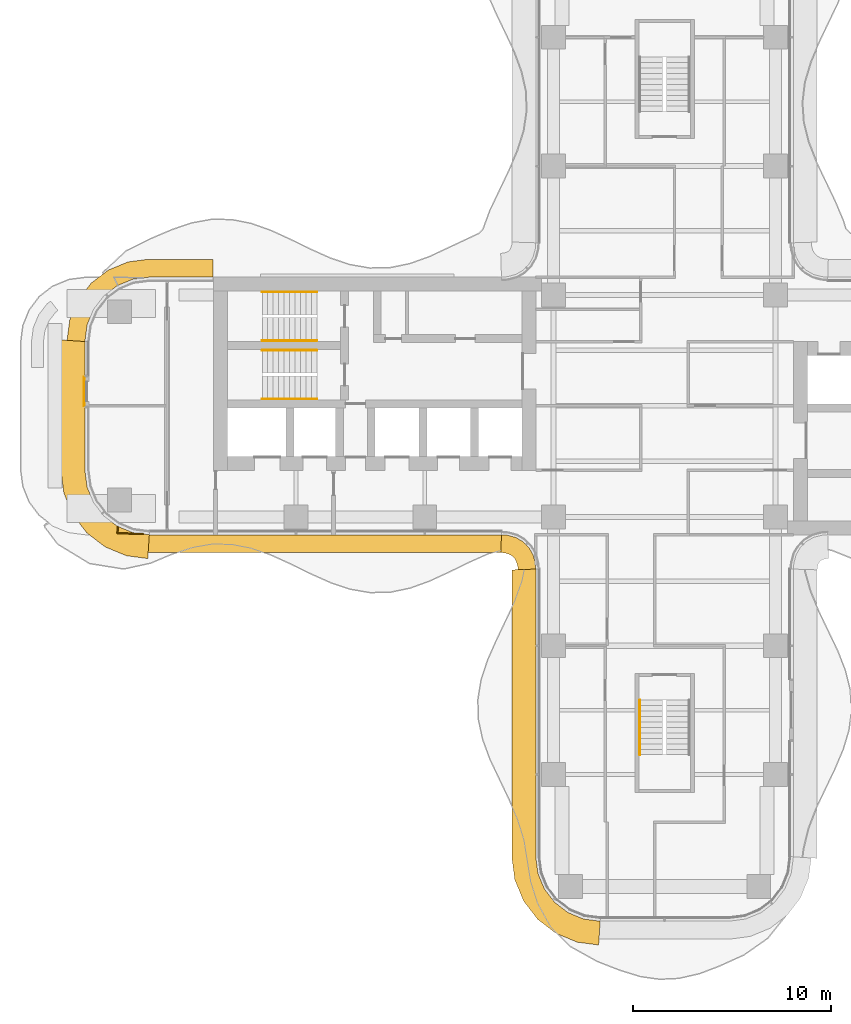
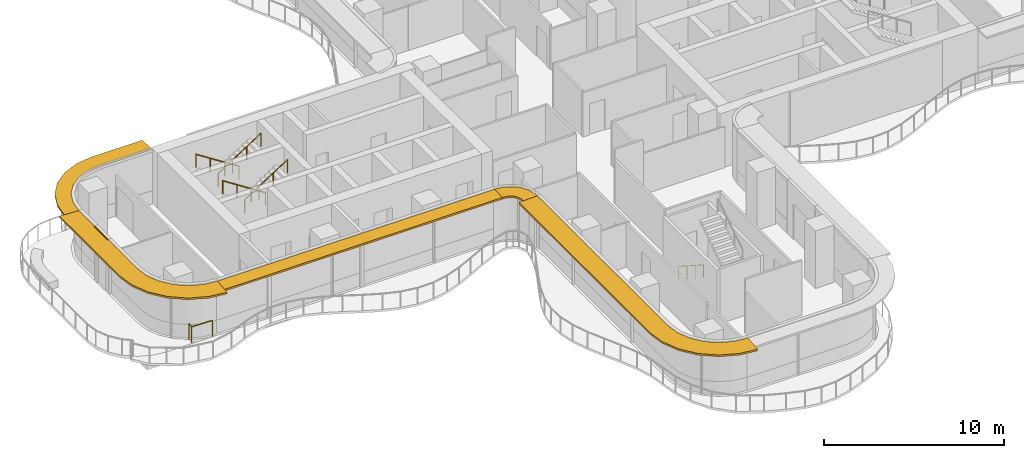
# One storey, part 16 of 17: 6 railings, 5 shading devices, 1 covering.
"""IFC4 building model written with IfcOpenShell, lengths in metres."""

from ifc_helpers import new_model, si_unit, direction, frame, origin, origin_2d, place, context, subcontext, project, spatial, polyline, rectangle, circle, outline, extrude, source, transform, mapped, material, layer, layer_set, type_object, element, save


model = new_model("IFC4")

# Units and contexts
model_context = context("Model", 3, precision=1e-05, world=origin(), true_north=direction((0.0, 1.0)))
body_context = subcontext(model_context, "Body", "Model", "MODEL_VIEW")
ifc_project = project(units=[si_unit("LENGTHUNIT", "METRE"), si_unit("AREAUNIT", "SQUARE_METRE"), si_unit("VOLUMEUNIT", "CUBIC_METRE"), si_unit("PLANEANGLEUNIT", "RADIAN"), si_unit("MASSUNIT", "GRAM", prefix="KILO")], contexts=[model_context])

# Site, building, storey
site_placement = place(None, origin())
site = spatial("IfcSite", under=ifc_project, at=site_placement, CompositionType="ELEMENT")
building_placement = place(site_placement, origin())
building = spatial("IfcBuilding", under=site, at=building_placement, Name="Trellis Farm Tower", CompositionType="ELEMENT")
storey_placement = place(building_placement, frame((0.0, 0.0, 162.0)))
storey = spatial("IfcBuildingStorey", under=building, at=storey_placement, Name="L34", CompositionType="ELEMENT", Elevation=162.0)

# Covering
ifc_material_1 = material(Name="Sandstone", Category="masonry")
ifc_layer_1 = layer(ifc_material_1, 0.050048828125)
ifc_layer_set_1 = layer_set([ifc_layer_1], Name="STONE CLADDING PANEL")
covering_type = type_object("IfcCoveringType", Name="STONE CLADDING PANEL", PredefinedType="CLADDING", material=ifc_layer_set_1)
covering_placement = place(storey_placement, frame((0.0, 0.0, 2.39990234375)))
element("IfcCovering", 1, at=covering_placement, inside=storey, type_object=covering_type, Name="CD1 02", PredefinedType="CLADDING", context=body_context, shape_type="SweptSolid", body=[
    extrude(outline(polyline([(-29.300048828125, 1.47998046875), (-29.300048828125, -0.02001953125), (-29.25, -0.02001953125), (-29.25, 1.47998046875), (-29.300048828125, 1.47998046875)])), origin(), (0.0, 0.0, 1.0), 1.300048828125),
])

# Railings
ifc_material_2 = material(Name="Stainless steel", Category="steel")
railing_type_1 = type_object("IfcRailingType", Name="STAIR HANDRAIL 900", PredefinedType="HANDRAIL", material=ifc_material_2)
shared_shape_1 = source(origin(), body_context, "Body", "SweptSolid", [
    extrude(circle(Radius=0.02392578125, at=origin_2d()), frame((0.0, 0.0, 0.8759765625), z_axis=(0.0, -0.840503830235, 0.541805602924), x_axis=(1.0, 0.0, 0.0)), (0.0, 0.0, 1.0), 3.271728515625),
    extrude(circle(Radius=0.02099609375, at=origin_2d()), origin(), (0.0, 0.0, 1.0), 0.851806640625),
    extrude(circle(Radius=0.02099609375, at=origin_2d()), frame((0.0, -0.916748046875, 0.5908203125)), (0.0, 0.0, 1.0), 0.851806640625),
    extrude(circle(Radius=0.02099609375, at=origin_2d()), frame((0.0, -1.833251953125, 1.181884765625)), (0.0, 0.0, 1.0), 0.851806640625),
    extrude(circle(Radius=0.02099609375, at=origin_2d()), frame((0.0, -2.75, 1.772705078125)), (0.0, 0.0, 1.0), 0.851806640625),
])
railing_1_placement = place(storey_placement, frame((-1.25, -14.85009765625, 0.17724609375)))
element("IfcRailing", 2, at=railing_1_placement, inside=storey, type_object=railing_type_1, Name="Stair handrail", PredefinedType="HANDRAIL", context=body_context, shape_type="MappedRepresentation", body=[
    mapped(shared_shape_1, transform((0.0, 0.0, 0.0))),
])
shared_shape_2 = source(origin(), body_context, "Body", "SweptSolid", [
    extrude(circle(Radius=0.02392578125, at=origin_2d()), frame((0.0, 0.0, 0.8759765625), z_axis=(0.840503830235, 0.0, 0.541805602924), x_axis=(0.0, 1.0, 0.0)), (0.0, 0.0, 1.0), 3.271728515625),
    extrude(circle(Radius=0.02099609375, at=origin_2d()), origin(), (0.0, 0.0, 1.0), 0.851806640625),
    extrude(circle(Radius=0.02099609375, at=origin_2d()), frame((0.916748046875, 0.0, 0.5908203125)), (0.0, 0.0, 1.0), 0.851806640625),
    extrude(circle(Radius=0.02099609375, at=origin_2d()), frame((1.833251953125, 0.0, 1.181884765625)), (0.0, 0.0, 1.0), 0.851806640625),
    extrude(circle(Radius=0.02099609375, at=origin_2d()), frame((2.75, 0.0, 1.772705078125)), (0.0, 0.0, 1.0), 0.851806640625),
])
for number, where, name in (
    (3, (-20.300048828125, 3.300048828125, 2.127197265625), "Stair handrail"),
    (4, (-20.300048828125, 0.35009765625, 2.127197265625), "Stair handrail"),
):
    element("IfcRailing", number, at=place(storey_placement, frame(where)), inside=storey, type_object=railing_type_1, Name=name, PredefinedType="HANDRAIL", context=body_context, shape_type="MappedRepresentation", body=[
        mapped(shared_shape_2, transform((0.0, 0.0, 0.0))),
    ])
shared_shape_3 = source(origin(), body_context, "Body", "SweptSolid", [
    extrude(circle(Radius=0.02392578125, at=origin_2d()), frame((0.0, 0.0, 0.8759765625), z_axis=(-0.840503830235, 0.0, 0.541805602924), x_axis=(0.0, -1.0, 0.0)), (0.0, 0.0, 1.0), 3.271728515625),
    extrude(circle(Radius=0.02099609375, at=origin_2d()), origin(), (0.0, 0.0, 1.0), 0.851806640625),
    extrude(circle(Radius=0.02099609375, at=origin_2d()), frame((-0.916748046875, 0.0, 0.5908203125)), (0.0, 0.0, 1.0), 0.851806640625),
    extrude(circle(Radius=0.02099609375, at=origin_2d()), frame((-1.833251953125, 0.0, 1.181884765625)), (0.0, 0.0, 1.0), 0.851806640625),
    extrude(circle(Radius=0.02099609375, at=origin_2d()), frame((-2.75, 0.0, 1.772705078125)), (0.0, 0.0, 1.0), 0.851806640625),
])
for number, where, name in (
    (5, (-17.550048828125, 5.75, 0.17724609375), "Stair handrail"),
    (6, (-17.550048828125, 2.800048828125, 0.17724609375), "Stair handrail"),
):
    element("IfcRailing", number, at=place(storey_placement, frame(where)), inside=storey, type_object=railing_type_1, Name=name, PredefinedType="HANDRAIL", context=body_context, shape_type="MappedRepresentation", body=[
        mapped(shared_shape_3, transform((0.0, 0.0, 0.0))),
    ])

# Shading devices
ifc_material_3 = material(Name="Aluminium extrusion 6063-T6", Category="aluminium")
ifc_layer_2 = layer(ifc_material_3, 0.1201171875)
ifc_layer_set_2 = layer_set([ifc_layer_2], Name="SUNSHADE BLADE 900")
shading_device_type_1 = type_object("IfcShadingDeviceType", Name="SUNSHADE BLADE 900", PredefinedType="USERDEFINED", material=ifc_layer_set_2)
shared_shape_4 = source(origin(), body_context, "Body", "SweptSolid", [
    extrude(outline(polyline([(-8.2607421875, -7.39990234375), (-8.107666015625, -7.409912109375), (-8.091552734375, -7.412109375), (-7.85595703125, -7.475341796875), (-7.697021484375, -7.567138671875), (-7.567138671875, -7.697021484375), (-7.475341796875, -7.85595703125), (-7.412109375, -8.091552734375), (-7.409912109375, -8.107666015625), (-7.39990234375, -8.2607421875), (-6.5, -8.2314453125), (-6.513916015625, -8.01953125), (-6.527587890625, -7.91552734375), (-6.63671875, -7.508544921875), (-6.846923828125, -7.144287109375), (-7.144287109375, -6.846923828125), (-7.508544921875, -6.63671875), (-7.91552734375, -6.527587890625), (-8.01953125, -6.513916015625), (-8.2314453125, -6.5), (-8.2607421875, -7.39990234375)])), origin(), (0.0, 0.0, 1.0), 0.119873046875),
])
placement = place(storey_placement, frame((0.0, 0.0, 3.5400390625)))
element("IfcShadingDevice", 7, at=placement, inside=storey, type_object=shading_device_type_1, Name="SD1 002", ObjectType="SUNSHADE", PredefinedType="USERDEFINED", context=body_context, shape_type="MappedRepresentation", body=[
    mapped(shared_shape_4, transform((0.0, 0.0, 0.0))),
])
ifc_layer_3 = layer(ifc_material_3, 0.1201171875)
ifc_layer_set_3 = layer_set([ifc_layer_3], Name="SUNSHADE BLADE 1200")
shading_device_type_2 = type_object("IfcShadingDeviceType", Name="SUNSHADE BLADE 1200", PredefinedType="USERDEFINED", material=ifc_layer_set_3)
shared_shape_5 = source(origin(), body_context, "Body", "SweptSolid", [
    extrude(outline(polyline([(-7.699951171875, -8.270751953125), (-7.699951171875, -22.82861328125), (-7.558349609375, -23.904541015625), (-7.11279296875, -24.980224609375), (-6.404052734375, -25.904052734375), (-5.480224609375, -26.61279296875), (-4.404541015625, -27.058349609375), (-3.32861328125, -27.199951171875), (-3.25, -26.0), (-4.091064453125, -25.88916015625), (-4.875, -25.564697265625), (-5.548095703125, -25.048095703125), (-6.064697265625, -24.375), (-6.38916015625, -23.591064453125), (-6.5, -22.75), (-6.5, -8.2314453125), (-7.699951171875, -8.270751953125)])), origin(), (0.0, 0.0, 1.0), 0.119873046875),
])
element("IfcShadingDevice", 8, at=placement, inside=storey, type_object=shading_device_type_2, Name="SD2 003", ObjectType="SUNSHADE", PredefinedType="USERDEFINED", context=body_context, shape_type="MappedRepresentation", body=[
    mapped(shared_shape_5, transform((0.0, 0.0, 0.0))),
])
shared_shape_6 = source(origin(), body_context, "Body", "SweptSolid", [
    extrude(outline(polyline([(-26.05908203125, -7.39990234375), (-8.2607421875, -7.39990234375), (-8.2314453125, -6.5), (-26.0, -6.5), (-26.05908203125, -7.39990234375)])), origin(), (0.0, 0.0, 1.0), 0.119873046875),
])
element("IfcShadingDevice", 9, at=placement, inside=storey, type_object=shading_device_type_1, Name="SD1 001", ObjectType="SUNSHADE", PredefinedType="USERDEFINED", context=body_context, shape_type="MappedRepresentation", body=[
    mapped(shared_shape_6, transform((0.0, 0.0, 0.0))),
])
shared_shape_7 = source(origin(), body_context, "Body", "SweptSolid", [
    extrude(outline(polyline([(-22.780029296875, 7.39990234375), (-26.05908203125, 7.39990234375), (-27.076171875, 7.26611328125), (-28.078857421875, 6.850830078125), (-28.93994140625, 6.18994140625), (-29.600830078125, 5.328857421875), (-30.01611328125, 4.326171875), (-30.14990234375, 3.30908203125), (-29.25, 3.25), (-29.13916015625, 4.091064453125), (-28.814697265625, 4.875), (-28.298095703125, 5.548095703125), (-27.625, 6.064697265625), (-26.841064453125, 6.38916015625), (-26.0, 6.5), (-22.780029296875, 6.5), (-22.780029296875, 7.39990234375)])), origin(), (0.0, 0.0, 1.0), 0.119873046875),
])
element("IfcShadingDevice", 10, at=placement, inside=storey, type_object=shading_device_type_1, Name="SD1 015", ObjectType="SUNSHADE", PredefinedType="USERDEFINED", context=body_context, shape_type="MappedRepresentation", body=[
    mapped(shared_shape_7, transform((0.0, 0.0, 0.0))),
])
shared_shape_8 = source(origin(), body_context, "Body", "SweptSolid", [
    extrude(outline(polyline([(-30.449951171875, 3.32861328125), (-30.449951171875, -3.32861328125), (-30.308349609375, -4.404541015625), (-29.86279296875, -5.480224609375), (-29.154052734375, -6.404052734375), (-28.230224609375, -7.11279296875), (-27.154541015625, -7.558349609375), (-26.07861328125, -7.699951171875), (-26.0, -6.5), (-26.841064453125, -6.38916015625), (-27.625, -6.064697265625), (-28.298095703125, -5.548095703125), (-28.814697265625, -4.875), (-29.13916015625, -4.091064453125), (-29.25, -3.25), (-29.25, 3.25), (-30.449951171875, 3.32861328125)])), origin(), (0.0, 0.0, 1.0), 0.119873046875),
])
element("IfcShadingDevice", 11, at=placement, inside=storey, type_object=shading_device_type_2, Name="SD2 016", ObjectType="SUNSHADE", PredefinedType="USERDEFINED", context=body_context, shape_type="MappedRepresentation", body=[
    mapped(shared_shape_8, transform((0.0, 0.0, 0.0))),
])

# Railing
ifc_material_4 = material(Name="Stainless steel 316", Category="steel")
railing_type_2 = type_object("IfcRailingType", Name="BALUSTRADE GUARD 1100", PredefinedType="GUARDRAIL", material=ifc_material_4)
shared_shape_9 = source(origin(), body_context, "Body", "SweptSolid", [
    extrude(rectangle(XDim=0.050048828125, YDim=0.050048828125, at=origin_2d()), frame((0.0, 0.0, 1.0751953125), z_axis=(-0.052972117127, -0.998595991784, 0.0), x_axis=(0.998595991784, -0.052972117127, 0.0)), (0.0, 0.0, 1.0), 0.341064453125),
    extrude(rectangle(XDim=0.050048828125, YDim=0.050048828125, at=origin_2d()), frame((-0.01806640625, -0.340576171875, 1.0751953125), z_axis=(0.999503119313, -0.031520064781, 0.0), x_axis=(0.031520064781, 0.999503119313, 0.0)), (0.0, 0.0, 1.0), 1.30908203125),
    extrude(rectangle(XDim=0.0400390625, YDim=0.0400390625, at=origin_2d()), origin(), (0.0, 0.0, 1.0), 1.050048828125),
    extrude(rectangle(XDim=0.0400390625, YDim=0.0400390625, at=origin_2d()), frame((-0.01806640625, -0.340576171875, 0.0)), (0.0, 0.0, 1.0), 1.050048828125),
    extrude(rectangle(XDim=0.0400390625, YDim=0.0400390625, at=origin_2d()), frame((1.290283203125, -0.3818359375, 0.0)), (0.0, 0.0, 1.0), 1.050048828125),
])
railing_2_placement = place(storey_placement, frame((-27.591552734375, -6.078369140625, 0.0)))
element("IfcRailing", 12, at=railing_2_placement, inside=storey, type_object=railing_type_2, Name="GD1 BAL-2", PredefinedType="GUARDRAIL", context=body_context, shape_type="MappedRepresentation", body=[
    mapped(shared_shape_9, transform((0.0, 0.0, 0.0))),
])

save(model, "model.ifc")
